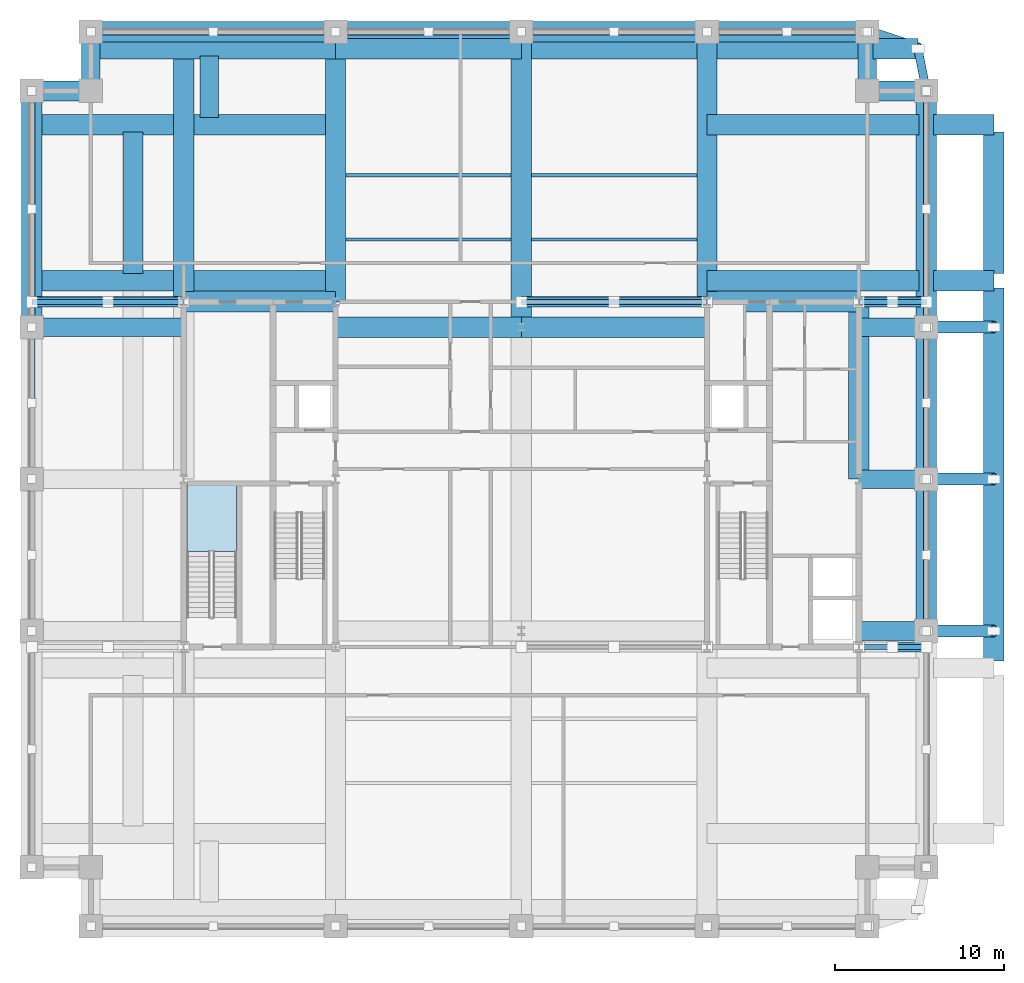
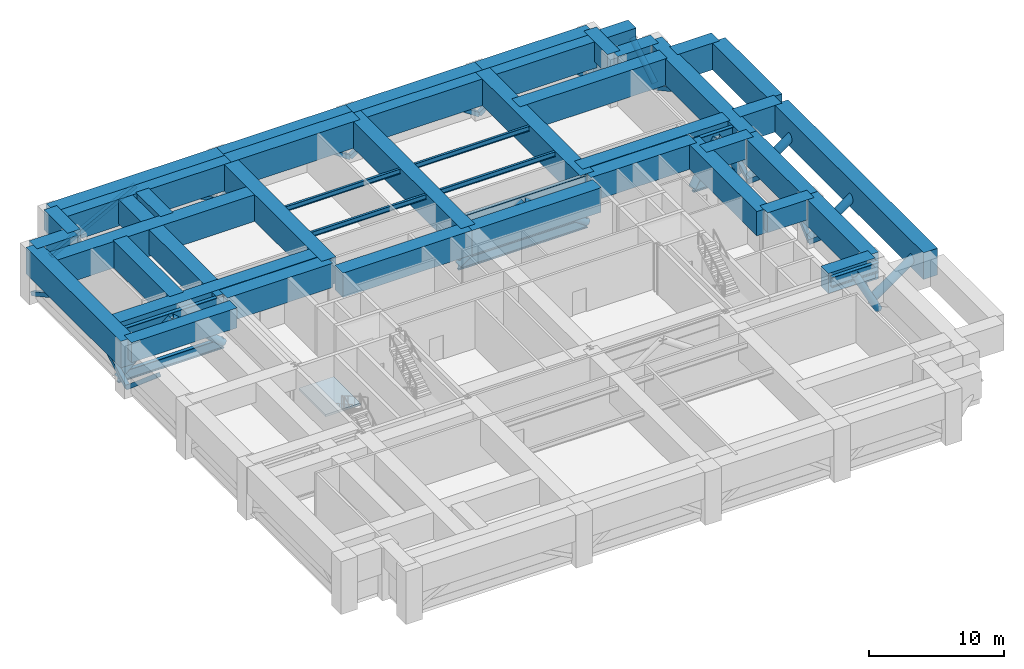
# One storey, part 2 of 10: 43 beams, 36 members, 1 slab, 1 element without a shape of its own.
"""IFC4 building model written with IfcOpenShell, lengths in metres."""

from ifc_helpers import new_model, si_unit, direction, frame, origin, origin_2d, place, context, subcontext, project, spatial, polyline, rectangle, hollow_rectangle, hollow_circle, i_section, outline, extrude, material, layer, layer_set, material_profile, profile_set, type_object, element, aggregate, save


model = new_model("IFC4")

# Units and contexts
model_context = context("Model", 3, precision=1e-05, world=origin(), true_north=direction((0.0, 1.0)))
body_context = subcontext(model_context, "Body", "Model", "MODEL_VIEW")
ifc_project = project(units=[si_unit("LENGTHUNIT", "METRE"), si_unit("AREAUNIT", "SQUARE_METRE"), si_unit("VOLUMEUNIT", "CUBIC_METRE"), si_unit("PLANEANGLEUNIT", "RADIAN"), si_unit("MASSUNIT", "GRAM", prefix="KILO")], contexts=[model_context])

# Site, building, storey
site_placement = place(None, origin())
site = spatial("IfcSite", under=ifc_project, at=site_placement, CompositionType="ELEMENT")
building_placement = place(site_placement, origin())
building = spatial("IfcBuilding", under=site, at=building_placement, Name="Zulmaris Gate Convention Tower", CompositionType="ELEMENT")
storey_placement = place(building_placement, frame((0.0, 0.0, 82.179931640625)))
storey = spatial("IfcBuildingStorey", under=building, at=storey_placement, Name="L20", CompositionType="ELEMENT", Elevation=82.179931640625)

# Beams
ifc_material_1 = material(Name="Concrete C80/95", Category="concrete")
ifc_material_profile_1 = material_profile(ifc_material_1, rectangle(XDim=1.10009765625, YDim=1.800048828125, at=origin_2d()), Name="RC TRANSFER 1100x1800")
ifc_profile_set_1 = profile_set([ifc_material_profile_1], Name="Concrete C80/95")
beam_type_1 = type_object("IfcBeamType", Name="BM-XFER1800", PredefinedType="BEAM", material=ifc_profile_set_1)
for number, where, z_axis, x_axis, name in (
    (1, (-25.5, 23.0, 3.43505859375), (0.0, 1.0, 0.0), (-1.0, 0.0, 0.0), "L20 Beam XFCOLV-L20-CXWN"),
    (2, (20.5, 23.0, 3.43505859375), (0.0, 1.0, 0.0), (-1.0, 0.0, 0.0), "L20 Beam XFCOLV-L20-CXEN"),
):
    element("IfcBeam", number, at=place(storey_placement, frame(where, z_axis=z_axis, x_axis=x_axis)), inside=storey, type_object=beam_type_1, Name=name, PredefinedType="BEAM", context=body_context, shape_type="SweptSolid", body=[
        extrude(rectangle(XDim=1.10009765625, YDim=1.800048828125, at=origin_2d()), origin(), (0.0, 0.0, 1.0), 3.5),
    ])
beam_1_placement = place(storey_placement, frame((-18.5, 21.43505859375, 3.43505859375), z_axis=(0.0, 1.0, 0.0), x_axis=(-1.0, 0.0, 0.0)))
element("IfcBeam", 3, at=beam_1_placement, inside=storey, type_object=beam_type_1, Name="L20 Beam XFNCH-L20-WC-+21.0", PredefinedType="BEAM", context=body_context, shape_type="SweptSolid", body=[
    extrude(rectangle(XDim=1.10009765625, YDim=1.800048828125, at=origin_2d()), origin(), (0.0, 0.0, 1.0), 3.6298828125),
])
beam_2_placement = place(storey_placement, frame((-29.0, 9.0, 3.43505859375), z_axis=(1.0, 0.0, 0.0), x_axis=(0.0, 1.0, 0.0)))
element("IfcBeam", 4, at=beam_2_placement, inside=storey, type_object=beam_type_1, Name="L20 Beam BM-L20-G18", PredefinedType="BEAM", context=body_context, shape_type="SweptSolid", body=[
    extrude(rectangle(XDim=1.10009765625, YDim=1.800048828125, at=origin_2d()), origin(), (0.0, 0.0, 1.0), 9.0),
])
for number, where, z_axis, x_axis, name in (
    (5, (20.0, -9.0, 3.43505859375), (1.0, 0.0, 0.0), (0.0, 1.0, 0.0), "L20 Beam BM-L20-G19"),
    (6, (20.0, 0.0, 3.43505859375), (1.0, 0.0, 0.0), (0.0, 1.0, 0.0), "L20 Beam BM-L20-G20"),
    (7, (20.0, 9.0, 3.43505859375), (1.0, 0.0, 0.0), (0.0, 1.0, 0.0), "L20 Beam BM-L20-G21"),
):
    element("IfcBeam", number, at=place(storey_placement, frame(where, z_axis=z_axis, x_axis=x_axis)), inside=storey, type_object=beam_type_1, Name=name, PredefinedType="BEAM", context=body_context, shape_type="SweptSolid", body=[
        extrude(rectangle(XDim=1.10009765625, YDim=1.800048828125, at=origin_2d()), origin(), (0.0, 0.0, 1.0), 4.0),
    ])
ifc_material_profile_2 = material_profile(ifc_material_1, rectangle(XDim=1.199951171875, YDim=2.199951171875, at=origin_2d()), Name="RC TRANSFER 1200x2200")
ifc_profile_set_2 = profile_set([ifc_material_profile_2], Name="Concrete C80/95")
beam_type_2 = type_object("IfcBeamType", Name="BM-XFER2200", PredefinedType="BEAM", material=ifc_profile_set_2)
for number, where, z_axis, x_axis, name in (
    (8, (-11.0, 9.0, 3.23486328125), (1.0, 0.0, 0.0), (0.0, 1.0, 0.0), "L20 Beam BM-L20-G03"),
    (9, (0.0, 9.0, 3.23486328125), (1.0, 0.0, 0.0), (0.0, 1.0, 0.0), "L20 Beam BM-L20-G04"),
):
    element("IfcBeam", number, at=place(storey_placement, frame(where, z_axis=z_axis, x_axis=x_axis)), inside=storey, type_object=beam_type_2, Name=name, PredefinedType="BEAM", context=body_context, shape_type="SweptSolid", body=[
        extrude(rectangle(XDim=1.199951171875, YDim=2.199951171875, at=origin_2d()), origin(), (0.0, 0.0, 1.0), 11.0),
    ])
beam_3_placement = place(storey_placement, frame((-20.0, 10.5, 3.23486328125), z_axis=(0.0, 1.0, 0.0), x_axis=(-1.0, 0.0, 0.0)))
element("IfcBeam", 10, at=beam_3_placement, inside=storey, type_object=beam_type_2, Name="L20 Beam BM-L20-G13", PredefinedType="BEAM", context=body_context, shape_type="SweptSolid", body=[
    extrude(rectangle(XDim=1.199951171875, YDim=2.199951171875, at=origin_2d()), origin(), (0.0, 0.0, 1.0), 16.0),
])
for number, where, z_axis, x_axis, name in (
    (11, (-20.0, 10.5, 3.23486328125), (1.0, 0.0, 0.0), (0.0, 1.0, 0.0), "L20 Beam BM-L20-G23"),
    (12, (11.0, 10.5, 3.23486328125), (1.0, 0.0, 0.0), (0.0, 1.0, 0.0), "L20 Beam BM-L20-G25"),
):
    element("IfcBeam", number, at=place(storey_placement, frame(where, z_axis=z_axis, x_axis=x_axis)), inside=storey, type_object=beam_type_2, Name=name, PredefinedType="BEAM", context=body_context, shape_type="SweptSolid", body=[
        extrude(rectangle(XDim=1.199951171875, YDim=2.199951171875, at=origin_2d()), origin(), (0.0, 0.0, 1.0), 9.0),
    ])
beam_4_placement = place(storey_placement, frame((20.0, 0.0, 3.23486328125), z_axis=(0.0, 1.0, 0.0), x_axis=(-1.0, 0.0, 0.0)))
element("IfcBeam", 13, at=beam_4_placement, inside=storey, type_object=beam_type_2, Name="L20 Beam BM-L20-G29", PredefinedType="BEAM", context=body_context, shape_type="SweptSolid", body=[
    extrude(rectangle(XDim=1.199951171875, YDim=2.199951171875, at=origin_2d()), origin(), (0.0, 0.0, 1.0), 10.5),
])
ifc_material_profile_3 = material_profile(ifc_material_1, rectangle(XDim=1.199951171875, YDim=2.39990234375, at=origin_2d()), Name="RC TRANSFER 1200x2400")
ifc_profile_set_3 = profile_set([ifc_material_profile_3], Name="Concrete C80/95")
beam_type_3 = type_object("IfcBeamType", Name="BM-XFER2400", PredefinedType="BEAM", material=ifc_profile_set_3)
beam_5_placement = place(storey_placement, frame((-29.0, 9.0, 3.135009765625), z_axis=(0.0, 1.0, 0.0), x_axis=(-1.0, 0.0, 0.0)))
element("IfcBeam", 14, at=beam_5_placement, inside=storey, type_object=beam_type_3, Name="L20 Beam XFCOLV-L20-XWN", PredefinedType="BEAM", context=body_context, shape_type="SweptSolid", body=[
    extrude(rectangle(XDim=1.199951171875, YDim=2.39990234375, at=origin_2d()), origin(), (0.0, 0.0, 1.0), 14.0),
])
for number, where, z_axis, x_axis, name in (
    (15, (24.0, -9.0, 3.135009765625), (0.0, 1.0, 0.0), (-1.0, 0.0, 0.0), "L20 Beam XFCOLV-L20-XEM1"),
    (16, (24.0, 0.0, 3.135009765625), (0.0, 1.0, 0.0), (-1.0, 0.0, 0.0), "L20 Beam XFCOLV-L20-XEM2"),
):
    element("IfcBeam", number, at=place(storey_placement, frame(where, z_axis=z_axis, x_axis=x_axis)), inside=storey, type_object=beam_type_3, Name=name, PredefinedType="BEAM", context=body_context, shape_type="SweptSolid", body=[
        extrude(rectangle(XDim=1.199951171875, YDim=2.39990234375, at=origin_2d()), origin(), (0.0, 0.0, 1.0), 9.0),
    ])
beam_6_placement = place(storey_placement, frame((24.0, 9.0, 3.135009765625), z_axis=(0.0, 1.0, 0.0), x_axis=(-1.0, 0.0, 0.0)))
element("IfcBeam", 17, at=beam_6_placement, inside=storey, type_object=beam_type_3, Name="L20 Beam XFCOLV-L20-XEN", PredefinedType="BEAM", context=body_context, shape_type="SweptSolid", body=[
    extrude(rectangle(XDim=1.199951171875, YDim=2.39990234375, at=origin_2d()), origin(), (0.0, 0.0, 1.0), 14.0),
])
for number, where, z_axis, x_axis, name in (
    (18, (-11.0, 10.5, 3.135009765625), (0.0, 1.0, 0.0), (-1.0, 0.0, 0.0), "L20 Beam XFCOLV-L20-C11WN"),
    (19, (11.0, 10.5, 3.135009765625), (0.0, 1.0, 0.0), (-1.0, 0.0, 0.0), "L20 Beam XFCOLV-L20-C11EN"),
):
    element("IfcBeam", number, at=place(storey_placement, frame(where, z_axis=z_axis, x_axis=x_axis)), inside=storey, type_object=beam_type_3, Name=name, PredefinedType="BEAM", context=body_context, shape_type="SweptSolid", body=[
        extrude(rectangle(XDim=1.199951171875, YDim=2.39990234375, at=origin_2d()), origin(), (0.0, 0.0, 1.0), 16.0),
    ])
beam_7_placement = place(storey_placement, frame((0.0, 9.0, 3.135009765625), z_axis=(0.0, 1.0, 0.0), x_axis=(-1.0, 0.0, 0.0)))
element("IfcBeam", 20, at=beam_7_placement, inside=storey, type_object=beam_type_3, Name="L20 Beam XFCOLV-L20-C0N", PredefinedType="BEAM", context=body_context, shape_type="SweptSolid", body=[
    extrude(rectangle(XDim=1.199951171875, YDim=2.39990234375, at=origin_2d()), origin(), (0.0, 0.0, 1.0), 17.5),
])
beam_8_placement = place(storey_placement, frame((11.0, 11.75, 3.135009765625), z_axis=(1.0, 0.0, 0.0), x_axis=(0.0, 1.0, 0.0)))
element("IfcBeam", 21, at=beam_8_placement, inside=storey, type_object=beam_type_3, Name="L20 Beam XFBS-L20-E-+11.75", PredefinedType="BEAM", context=body_context, shape_type="SweptSolid", body=[
    extrude(rectangle(XDim=1.199951171875, YDim=2.39990234375, at=origin_2d()), origin(), (0.0, 0.0, 1.0), 12.56494140625),
])
beam_9_placement = place(storey_placement, frame((24.43505859375, 11.75, 3.135009765625), z_axis=(1.0, 0.0, 0.0), x_axis=(0.0, 1.0, 0.0)))
element("IfcBeam", 22, at=beam_9_placement, inside=storey, type_object=beam_type_3, Name="L20 Beam XFSF-L20-E-+11.75", PredefinedType="BEAM", context=body_context, shape_type="SweptSolid", body=[
    extrude(rectangle(XDim=1.199951171875, YDim=2.39990234375, at=origin_2d()), origin(), (0.0, 0.0, 1.0), 3.56494140625),
])
beam_10_placement = place(storey_placement, frame((11.0, 21.0, 3.135009765625), z_axis=(1.0, 0.0, 0.0), x_axis=(0.0, 1.0, 0.0)))
element("IfcBeam", 23, at=beam_10_placement, inside=storey, type_object=beam_type_3, Name="L20 Beam XFBS-L20-E-+21.00", PredefinedType="BEAM", context=body_context, shape_type="SweptSolid", body=[
    extrude(rectangle(XDim=1.199951171875, YDim=2.39990234375, at=origin_2d()), origin(), (0.0, 0.0, 1.0), 12.56494140625),
])
beam_11_placement = place(storey_placement, frame((24.43505859375, 21.0, 3.135009765625), z_axis=(1.0, 0.0, 0.0), x_axis=(0.0, 1.0, 0.0)))
element("IfcBeam", 24, at=beam_11_placement, inside=storey, type_object=beam_type_3, Name="L20 Beam XFSF-L20-E-+21.00", PredefinedType="BEAM", context=body_context, shape_type="SweptSolid", body=[
    extrude(rectangle(XDim=1.199951171875, YDim=2.39990234375, at=origin_2d()), origin(), (0.0, 0.0, 1.0), 3.56494140625),
])
beam_12_placement = place(storey_placement, frame((28.0, -10.764892578125, 3.135009765625), z_axis=(0.0, 1.0, 0.0), x_axis=(-1.0, 0.0, 0.0)))
element("IfcBeam", 25, at=beam_12_placement, inside=storey, type_object=beam_type_3, Name="L20 Beam XFEDG-L20-EM", PredefinedType="BEAM", context=body_context, shape_type="SweptSolid", body=[
    extrude(rectangle(XDim=1.199951171875, YDim=2.39990234375, at=origin_2d()), origin(), (0.0, 0.0, 1.0), 22.079833984375),
])
beam_13_placement = place(storey_placement, frame((28.0, 12.18505859375, 3.135009765625), z_axis=(0.0, 1.0, 0.0), x_axis=(-1.0, 0.0, 0.0)))
element("IfcBeam", 26, at=beam_13_placement, inside=storey, type_object=beam_type_3, Name="L20 Beam XFEDG-L20-EN", PredefinedType="BEAM", context=body_context, shape_type="SweptSolid", body=[
    extrude(rectangle(XDim=1.199951171875, YDim=2.39990234375, at=origin_2d()), origin(), (0.0, 0.0, 1.0), 8.3798828125),
])
beam_14_placement = place(storey_placement, frame((0.43505859375, 25.5, 3.135009765625), z_axis=(1.0, 0.0, 0.0), x_axis=(0.0, 1.0, 0.0)))
element("IfcBeam", 27, at=beam_14_placement, inside=storey, type_object=beam_type_3, Name="L20 Beam XFBS-L20-EC-+25.5", PredefinedType="BEAM", context=body_context, shape_type="SweptSolid", body=[
    extrude(rectangle(XDim=1.199951171875, YDim=2.39990234375, at=origin_2d()), origin(), (0.0, 0.0, 1.0), 19.72998046875),
])
beam_15_placement = place(storey_placement, frame((20.8349609375, 25.5, 3.135009765625), z_axis=(1.0, 0.0, 0.0), x_axis=(0.0, 1.0, 0.0)))
element("IfcBeam", 28, at=beam_15_placement, inside=storey, type_object=beam_type_3, Name="L20 Beam XFSF-L20-EC-+25.5", PredefinedType="BEAM", context=body_context, shape_type="SweptSolid", body=[
    extrude(rectangle(XDim=1.199951171875, YDim=2.39990234375, at=origin_2d()), origin(), (0.0, 0.0, 1.0), 2.6650390625),
])
for number, where, z_axis, x_axis, name in (
    (29, (-29.0, 11.75, 3.135009765625), (1.0, 0.0, 0.0), (0.0, 1.0, 0.0), "L20 Beam XFREC-L20-W-+11.75"),
    (30, (-29.0, 21.0, 3.135009765625), (1.0, 0.0, 0.0), (0.0, 1.0, 0.0), "L20 Beam XFREC-L20-W-+21.00"),
):
    element("IfcBeam", number, at=place(storey_placement, frame(where, z_axis=z_axis, x_axis=x_axis)), inside=storey, type_object=beam_type_3, Name=name, PredefinedType="BEAM", context=body_context, shape_type="SweptSolid", body=[
        extrude(rectangle(XDim=1.199951171875, YDim=2.39990234375, at=origin_2d()), origin(), (0.0, 0.0, 1.0), 18.0),
    ])
beam_16_placement = place(storey_placement, frame((-23.0, 12.18505859375, 3.135009765625), z_axis=(0.0, 1.0, 0.0), x_axis=(-1.0, 0.0, 0.0)))
element("IfcBeam", 31, at=beam_16_placement, inside=storey, type_object=beam_type_3, Name="L20 Beam XFEDG-L20-WN", PredefinedType="BEAM", context=body_context, shape_type="SweptSolid", body=[
    extrude(rectangle(XDim=1.199951171875, YDim=2.39990234375, at=origin_2d()), origin(), (0.0, 0.0, 1.0), 8.3798828125),
])
beam_17_placement = place(storey_placement, frame((-25.5, 25.5, 3.135009765625), z_axis=(1.0, 0.0, 0.0), x_axis=(0.0, 1.0, 0.0)))
element("IfcBeam", 32, at=beam_17_placement, inside=storey, type_object=beam_type_3, Name="L20 Beam XFREC-L20-WC-+25.5", PredefinedType="BEAM", context=body_context, shape_type="SweptSolid", body=[
    extrude(rectangle(XDim=1.199951171875, YDim=2.39990234375, at=origin_2d()), origin(), (0.0, 0.0, 1.0), 14.5),
])
beam_18_placement = place(storey_placement, frame((-11.0, 25.5, 3.135009765625), z_axis=(1.0, 0.0, 0.0), x_axis=(0.0, 1.0, 0.0)))
element("IfcBeam", 33, at=beam_18_placement, inside=storey, type_object=beam_type_3, Name="L20 Beam XFREC-L20-M1-+25.5", PredefinedType="BEAM", context=body_context, shape_type="SweptSolid", body=[
    extrude(rectangle(XDim=1.199951171875, YDim=2.39990234375, at=origin_2d()), origin(), (0.0, 0.0, 1.0), 11.0),
])
beam_19_placement = place(storey_placement, frame((24.0, 23.0, 3.135009765625), z_axis=(-1.0, 0.0, 0.0), x_axis=(0.0, -1.0, 0.0)))
element("IfcBeam", 34, at=beam_19_placement, inside=storey, type_object=beam_type_3, Name="L20 Beam SP-L20-11", PredefinedType="BEAM", context=body_context, shape_type="SweptSolid", body=[
    extrude(rectangle(XDim=1.199951171875, YDim=2.39990234375, at=origin_2d()), origin(), (0.0, 0.0, 1.0), 3.5),
])
beam_20_placement = place(storey_placement, frame((20.5, 26.5, 3.135009765625), z_axis=(-1.0, 0.0, 0.0), x_axis=(0.0, -1.0, 0.0)))
element("IfcBeam", 35, at=beam_20_placement, inside=storey, type_object=beam_type_3, Name="L20 Beam SP-L20-13", PredefinedType="BEAM", context=body_context, shape_type="SweptSolid", body=[
    extrude(rectangle(XDim=1.199951171875, YDim=2.39990234375, at=origin_2d()), origin(), (0.0, 0.0, 1.0), 9.5),
])
for number, where, z_axis, x_axis, name in (
    (36, (11.0, 26.5, 3.135009765625), (-1.0, 0.0, 0.0), (0.0, -1.0, 0.0), "L20 Beam SP-L20-14"),
    (37, (0.0, 26.5, 3.135009765625), (-1.0, 0.0, 0.0), (0.0, -1.0, 0.0), "L20 Beam SP-L20-15"),
):
    element("IfcBeam", number, at=place(storey_placement, frame(where, z_axis=z_axis, x_axis=x_axis)), inside=storey, type_object=beam_type_3, Name=name, PredefinedType="BEAM", context=body_context, shape_type="SweptSolid", body=[
        extrude(rectangle(XDim=1.199951171875, YDim=2.39990234375, at=origin_2d()), origin(), (0.0, 0.0, 1.0), 11.0),
    ])
beam_21_placement = place(storey_placement, frame((-11.0, 26.5, 3.135009765625), z_axis=(-1.0, 0.0, 0.0), x_axis=(0.0, -1.0, 0.0)))
element("IfcBeam", 38, at=beam_21_placement, inside=storey, type_object=beam_type_3, Name="L20 Beam SP-L20-16", PredefinedType="BEAM", context=body_context, shape_type="SweptSolid", body=[
    extrude(rectangle(XDim=1.199951171875, YDim=2.39990234375, at=origin_2d()), origin(), (0.0, 0.0, 1.0), 14.5),
])
beam_22_placement = place(storey_placement, frame((-25.5, 23.0, 3.135009765625), z_axis=(-1.0, 0.0, 0.0), x_axis=(0.0, -1.0, 0.0)))
element("IfcBeam", 39, at=beam_22_placement, inside=storey, type_object=beam_type_3, Name="L20 Beam SP-L20-18", PredefinedType="BEAM", context=body_context, shape_type="SweptSolid", body=[
    extrude(rectangle(XDim=1.199951171875, YDim=2.39990234375, at=origin_2d()), origin(), (0.0, 0.0, 1.0), 3.5),
])

# Members
ifc_material_2 = material(Name="Steel S460", Category="steel")
ifc_material_profile_4 = material_profile(ifc_material_2, hollow_circle(Radius=0.25390625, WallThickness=0.02490234375, at=origin_2d()), Name="CHS 508x25")
ifc_profile_set_4 = profile_set([ifc_material_profile_4], Name="Steel S460")
member_type_1 = type_object("IfcMemberType", Name="BR-CHS508", PredefinedType="BRACE", material=ifc_profile_set_4)
member_1_placement = place(storey_placement, frame((24.0, 23.0, 0.349853515625), z_axis=(-0.132420272565, 0.662101362827, 0.737622299525), x_axis=(-0.980580675691, -0.196116135138, 0.0)))
element("IfcMember", 40, at=member_1_placement, inside=storey, type_object=member_type_1, Name="L20 Shifted Block Notch Web Strut EC +25.5", PredefinedType="BRACE", context=body_context, shape_type="SweptSolid", body=[
    extrude(hollow_circle(Radius=0.25390625, WallThickness=0.02490234375, at=origin_2d()), origin(), (0.0, 0.0, 1.0), 3.77587890625),
])
ifc_material_profile_5 = material_profile(ifc_material_2, hollow_circle(Radius=0.304931640625, WallThickness=0.030029296875, at=origin_2d()), Name="CHS 610x30")
ifc_profile_set_5 = profile_set([ifc_material_profile_5], Name="Steel S460")
member_type_2 = type_object("IfcMemberType", Name="BR-CHS610", PredefinedType="BRACE", material=ifc_profile_set_5)
member_2_placement = place(storey_placement, frame((22.0, -9.949951171875, 3.8349609375), z_axis=(0.462411672797, 0.0, -0.886665351111), x_axis=(0.0, 1.0, 0.0)))
element("IfcMember", 41, at=member_2_placement, inside=storey, type_object=member_type_2, Name="L20 Outrigger Truss Diagonal OT-L20-DG--9.9-+20-B", PredefinedType="BRACE", context=body_context, shape_type="SweptSolid", body=[
    extrude(hollow_circle(Radius=0.304931640625, WallThickness=0.030029296875, at=origin_2d()), origin(), (0.0, 0.0, 1.0), 4.3251953125),
])
for number, where, z_axis, x_axis, name in (
    (42, (-29.0, 10.5, 0.0), (0.761107322007, 0.0, 0.648625966476), (0.0, 1.0, 0.0), "L20 Outrigger Truss Diagonal OT-L20-DG-+10.5--29-A"),
    (43, (-24.5, 10.5, 3.8349609375), (0.761107322007, 0.0, -0.648625966476), (0.0, 1.0, 0.0), "L20 Outrigger Truss Diagonal OT-L20-DG-+10.5--29-B"),
):
    element("IfcMember", number, at=place(storey_placement, frame(where, z_axis=z_axis, x_axis=x_axis)), inside=storey, type_object=member_type_2, Name=name, PredefinedType="BRACE", context=body_context, shape_type="SweptSolid", body=[
        extrude(hollow_circle(Radius=0.304931640625, WallThickness=0.030029296875, at=origin_2d()), origin(), (0.0, 0.0, 1.0), 5.912353515625),
    ])
for number, where, z_axis, x_axis, name in (
    (44, (20.0, 10.5, 0.0), (0.462411672797, 0.0, 0.886665351111), (0.0, 1.0, 0.0), "L20 Outrigger Truss Diagonal OT-L20-DG-+10.5-+20-A"),
    (45, (22.0, 10.5, 3.8349609375), (0.462411672797, 0.0, -0.886665351111), (0.0, 1.0, 0.0), "L20 Outrigger Truss Diagonal OT-L20-DG-+10.5-+20-B"),
):
    element("IfcMember", number, at=place(storey_placement, frame(where, z_axis=z_axis, x_axis=x_axis)), inside=storey, type_object=member_type_2, Name=name, PredefinedType="BRACE", context=body_context, shape_type="SweptSolid", body=[
        extrude(hollow_circle(Radius=0.304931640625, WallThickness=0.030029296875, at=origin_2d()), origin(), (0.0, 0.0, 1.0), 4.3251953125),
    ])
for number, where, z_axis, x_axis, name in (
    (46, (0.0, 10.5, 0.0), (0.82028427934, 0.0, 0.571956030712), (0.0, 1.0, 0.0), "L20 Outrigger Truss Diagonal OT-L20-DG-+10.5-+0-A"),
    (47, (5.5, 10.5, 3.8349609375), (0.82028427934, 0.0, -0.571956030712), (0.0, 1.0, 0.0), "L20 Outrigger Truss Diagonal OT-L20-DG-+10.5-+0-B"),
):
    element("IfcMember", number, at=place(storey_placement, frame(where, z_axis=z_axis, x_axis=x_axis)), inside=storey, type_object=member_type_2, Name=name, PredefinedType="BRACE", context=body_context, shape_type="SweptSolid", body=[
        extrude(hollow_circle(Radius=0.304931640625, WallThickness=0.030029296875, at=origin_2d()), origin(), (0.0, 0.0, 1.0), 6.705078125),
    ])
ifc_material_profile_6 = material_profile(ifc_material_2, hollow_circle(Radius=0.35546875, WallThickness=0.035888671875, at=origin_2d()), Name="CHS 711x36")
ifc_profile_set_6 = profile_set([ifc_material_profile_6], Name="Steel S460")
member_type_3 = type_object("IfcMemberType", Name="BR-CHS711", PredefinedType="BRACE", material=ifc_profile_set_6)
for number, where, z_axis, x_axis, name in (
    (48, (24.0, -9.0, 0.349853515625), (0.820660104298, 0.0, 0.571416654653), (0.0, 1.0, 0.0), "L20 Shifted Block Transfer Raking Strut E -9.0"),
    (49, (24.0, 0.0, 0.349853515625), (0.820660104298, 0.0, 0.571416654653), (0.0, 1.0, 0.0), "L20 Shifted Block Transfer Raking Strut E +0.0"),
    (50, (24.0, 9.0, 0.349853515625), (0.820660104298, 0.0, 0.571416654653), (0.0, 1.0, 0.0), "L20 Shifted Block Transfer Raking Strut E +9.0"),
):
    element("IfcMember", number, at=place(storey_placement, frame(where, z_axis=z_axis, x_axis=x_axis)), inside=storey, type_object=member_type_3, Name=name, PredefinedType="BRACE", context=body_context, shape_type="SweptSolid", body=[
        extrude(hollow_circle(Radius=0.35546875, WallThickness=0.035888671875, at=origin_2d()), origin(), (0.0, 0.0, 1.0), 4.8740234375),
    ])
member_3_placement = place(storey_placement, frame((20.5, 26.5, 0.349853515625), z_axis=(0.711926717305, -0.237308905768, 0.660942382081), x_axis=(0.316227766017, 0.948683298051, 0.0)))
element("IfcMember", 51, at=member_3_placement, inside=storey, type_object=member_type_3, Name="L20 Shifted Block Corner Raking Strut EC +25.5", PredefinedType="BRACE", context=body_context, shape_type="SweptSolid", body=[
    extrude(hollow_circle(Radius=0.35546875, WallThickness=0.035888671875, at=origin_2d()), origin(), (0.0, 0.0, 1.0), 4.2138671875),
])
ifc_material_profile_7 = material_profile(ifc_material_2, hollow_rectangle(XDim=0.35009765625, YDim=0.35009765625, WallThickness=0.01611328125, at=origin_2d()), Name="SHS 350x350x16")
ifc_profile_set_7 = profile_set([ifc_material_profile_7], Name="Steel S460")
member_type_4 = type_object("IfcMemberType", Name="BR-SHS350", PredefinedType="BRACE", material=ifc_profile_set_7)
for number, where, z_axis, x_axis, name in (
    (52, (-25.5, 26.5, 0.0), (0.883952946036, 0.0, 0.46757586464), (0.0, 1.0, 0.0), "L20 Perimeter Belt Truss Diagonal 05-1"),
    (53, (-18.25, 26.5, 3.8349609375), (0.883952946036, 0.0, -0.46757586464), (0.0, 1.0, 0.0), "L20 Perimeter Belt Truss Diagonal 05-2"),
):
    element("IfcMember", number, at=place(storey_placement, frame(where, z_axis=z_axis, x_axis=x_axis)), inside=storey, type_object=member_type_4, Name=name, PredefinedType="BRACE", context=body_context, shape_type="SweptSolid", body=[
        extrude(hollow_rectangle(XDim=0.35009765625, YDim=0.35009765625, WallThickness=0.01611328125, at=origin_2d()), origin(), (0.0, 0.0, 1.0), 8.201904296875),
    ])
for number, where, z_axis, x_axis, name in (
    (54, (-11.0, 26.5, 0.0), (0.82028427934, 0.0, 0.571956030712), (0.0, 1.0, 0.0), "L20 Perimeter Belt Truss Diagonal 06-1"),
    (55, (-5.5, 26.5, 3.8349609375), (0.82028427934, 0.0, -0.571956030712), (0.0, 1.0, 0.0), "L20 Perimeter Belt Truss Diagonal 06-2"),
    (56, (0.0, 26.5, 0.0), (0.82028427934, 0.0, 0.571956030712), (0.0, 1.0, 0.0), "L20 Perimeter Belt Truss Diagonal 07-1"),
    (57, (5.5, 26.5, 3.8349609375), (0.82028427934, 0.0, -0.571956030712), (0.0, 1.0, 0.0), "L20 Perimeter Belt Truss Diagonal 07-2"),
):
    element("IfcMember", number, at=place(storey_placement, frame(where, z_axis=z_axis, x_axis=x_axis)), inside=storey, type_object=member_type_4, Name=name, PredefinedType="BRACE", context=body_context, shape_type="SweptSolid", body=[
        extrude(hollow_rectangle(XDim=0.35009765625, YDim=0.35009765625, WallThickness=0.01611328125, at=origin_2d()), origin(), (0.0, 0.0, 1.0), 6.705078125),
    ])
for number, where, z_axis, x_axis, name in (
    (58, (11.0, 26.5, 0.0), (0.778067474884, 0.0, 0.628180710088), (0.0, 1.0, 0.0), "L20 Perimeter Belt Truss Diagonal 08-1"),
    (59, (15.75, 26.5, 3.8349609375), (0.778067474884, 0.0, -0.628180710088), (0.0, 1.0, 0.0), "L20 Perimeter Belt Truss Diagonal 08-2"),
):
    element("IfcMember", number, at=place(storey_placement, frame(where, z_axis=z_axis, x_axis=x_axis)), inside=storey, type_object=member_type_4, Name=name, PredefinedType="BRACE", context=body_context, shape_type="SweptSolid", body=[
        extrude(hollow_rectangle(XDim=0.35009765625, YDim=0.35009765625, WallThickness=0.01611328125, at=origin_2d()), origin(), (0.0, 0.0, 1.0), 6.10498046875),
    ])
member_4_placement = place(storey_placement, frame((-29.0, 4.5, 3.8349609375), z_axis=(0.0, 0.761107322007, -0.648625966476), x_axis=(-1.0, 0.0, 0.0)))
element("IfcMember", 60, at=member_4_placement, inside=storey, type_object=member_type_4, Name="L20 Perimeter Belt Truss Diagonal 11-2", PredefinedType="BRACE", context=body_context, shape_type="SweptSolid", body=[
    extrude(hollow_rectangle(XDim=0.35009765625, YDim=0.35009765625, WallThickness=0.01611328125, at=origin_2d()), origin(), (0.0, 0.0, 1.0), 5.912353515625),
])
for number, where, z_axis, x_axis, name in (
    (61, (-29.0, 9.0, 0.0), (0.0, 0.877010346815, 0.480471488831), (-1.0, 0.0, 0.0), "L20 Perimeter Belt Truss Diagonal 12-1"),
    (62, (-29.0, 16.0, 3.8349609375), (0.0, 0.877010346815, -0.480471488831), (-1.0, 0.0, 0.0), "L20 Perimeter Belt Truss Diagonal 12-2"),
):
    element("IfcMember", number, at=place(storey_placement, frame(where, z_axis=z_axis, x_axis=x_axis)), inside=storey, type_object=member_type_4, Name=name, PredefinedType="BRACE", context=body_context, shape_type="SweptSolid", body=[
        extrude(hollow_rectangle(XDim=0.35009765625, YDim=0.35009765625, WallThickness=0.01611328125, at=origin_2d()), origin(), (0.0, 0.0, 1.0), 7.981689453125),
    ])
for number, where, z_axis, x_axis, name in (
    (63, (24.0, -9.0, 0.0), (0.0, 0.761107322007, 0.648625966476), (-1.0, 0.0, 0.0), "L20 Perimeter Belt Truss Diagonal 14-1"),
    (64, (24.0, -4.5, 3.8349609375), (0.0, 0.761107322007, -0.648625966476), (-1.0, 0.0, 0.0), "L20 Perimeter Belt Truss Diagonal 14-2"),
    (65, (24.0, 0.0, 0.0), (0.0, 0.761107322007, 0.648625966476), (-1.0, 0.0, 0.0), "L20 Perimeter Belt Truss Diagonal 15-1"),
    (66, (24.0, 4.5, 3.8349609375), (0.0, 0.761107322007, -0.648625966476), (-1.0, 0.0, 0.0), "L20 Perimeter Belt Truss Diagonal 15-2"),
):
    element("IfcMember", number, at=place(storey_placement, frame(where, z_axis=z_axis, x_axis=x_axis)), inside=storey, type_object=member_type_4, Name=name, PredefinedType="BRACE", context=body_context, shape_type="SweptSolid", body=[
        extrude(hollow_rectangle(XDim=0.35009765625, YDim=0.35009765625, WallThickness=0.01611328125, at=origin_2d()), origin(), (0.0, 0.0, 1.0), 5.912353515625),
    ])
for number, where, z_axis, x_axis, name in (
    (67, (24.0, 9.0, 0.0), (0.0, 0.877010346815, 0.480471488831), (-1.0, 0.0, 0.0), "L20 Perimeter Belt Truss Diagonal 16-1"),
    (68, (24.0, 16.0, 3.8349609375), (0.0, 0.877010346815, -0.480471488831), (-1.0, 0.0, 0.0), "L20 Perimeter Belt Truss Diagonal 16-2"),
):
    element("IfcMember", number, at=place(storey_placement, frame(where, z_axis=z_axis, x_axis=x_axis)), inside=storey, type_object=member_type_4, Name=name, PredefinedType="BRACE", context=body_context, shape_type="SweptSolid", body=[
        extrude(hollow_rectangle(XDim=0.35009765625, YDim=0.35009765625, WallThickness=0.01611328125, at=origin_2d()), origin(), (0.0, 0.0, 1.0), 7.981689453125),
    ])
ifc_material_profile_8 = material_profile(ifc_material_2, i_section(OverallWidth=0.302001953125, OverallDepth=0.909912109375, WebThickness=0.02099609375, FlangeThickness=0.0400390625, FilletRadius=0.030029296875, at=origin_2d()), Name="HEM 900")
ifc_profile_set_8 = profile_set([ifc_material_profile_8], Name="Steel S460")
member_type_5 = type_object("IfcMemberType", Name="CH-HEM900", PredefinedType="CHORD", material=ifc_profile_set_8)
member_5_placement = place(storey_placement, frame((20.0, -9.949951171875, 3.8349609375), z_axis=(1.0, 0.0, 0.0), x_axis=(0.0, 1.0, 0.0)))
element("IfcMember", 69, at=member_5_placement, inside=storey, type_object=member_type_5, Name="L20 Outrigger Truss Top Chord -9.9", PredefinedType="CHORD", context=body_context, shape_type="SweptSolid", body=[
    extrude(i_section(OverallWidth=0.302001953125, OverallDepth=0.909912109375, WebThickness=0.02099609375, FlangeThickness=0.0400390625, FilletRadius=0.030029296875, at=origin_2d()), origin(), (0.0, 0.0, 1.0), 4.0),
])
for number, where, z_axis, x_axis, name in (
    (70, (-29.0, 10.5, 0.0), (1.0, 0.0, 0.0), (0.0, 1.0, 0.0), "L20 Outrigger Truss Bottom Chord +10.5"),
    (71, (-29.0, 10.5, 3.8349609375), (1.0, 0.0, 0.0), (0.0, 1.0, 0.0), "L20 Outrigger Truss Top Chord +10.5"),
):
    element("IfcMember", number, at=place(storey_placement, frame(where, z_axis=z_axis, x_axis=x_axis)), inside=storey, type_object=member_type_5, Name=name, PredefinedType="CHORD", context=body_context, shape_type="SweptSolid", body=[
        extrude(i_section(OverallWidth=0.302001953125, OverallDepth=0.909912109375, WebThickness=0.02099609375, FlangeThickness=0.0400390625, FilletRadius=0.030029296875, at=origin_2d()), origin(), (0.0, 0.0, 1.0), 9.0),
    ])
for number, where, z_axis, x_axis, name in (
    (72, (20.0, 10.5, 0.0), (1.0, 0.0, 0.0), (0.0, 1.0, 0.0), "L20 Outrigger Truss Bottom Chord +10.5"),
    (73, (20.0, 10.5, 3.8349609375), (1.0, 0.0, 0.0), (0.0, 1.0, 0.0), "L20 Outrigger Truss Top Chord +10.5"),
):
    element("IfcMember", number, at=place(storey_placement, frame(where, z_axis=z_axis, x_axis=x_axis)), inside=storey, type_object=member_type_5, Name=name, PredefinedType="CHORD", context=body_context, shape_type="SweptSolid", body=[
        extrude(i_section(OverallWidth=0.302001953125, OverallDepth=0.909912109375, WebThickness=0.02099609375, FlangeThickness=0.0400390625, FilletRadius=0.030029296875, at=origin_2d()), origin(), (0.0, 0.0, 1.0), 4.0),
    ])
for number, where, z_axis, x_axis, name in (
    (74, (0.0, 10.5, 0.0), (1.0, 0.0, 0.0), (0.0, 1.0, 0.0), "L20 Outrigger Truss Bottom Chord +10.5"),
    (75, (0.0, 10.5, 3.8349609375), (1.0, 0.0, 0.0), (0.0, 1.0, 0.0), "L20 Outrigger Truss Top Chord +10.5"),
):
    element("IfcMember", number, at=place(storey_placement, frame(where, z_axis=z_axis, x_axis=x_axis)), inside=storey, type_object=member_type_5, Name=name, PredefinedType="CHORD", context=body_context, shape_type="SweptSolid", body=[
        extrude(i_section(OverallWidth=0.302001953125, OverallDepth=0.909912109375, WebThickness=0.02099609375, FlangeThickness=0.0400390625, FilletRadius=0.030029296875, at=origin_2d()), origin(), (0.0, 0.0, 1.0), 11.0),
    ])

# Beams
ifc_material_3 = material(Name="Steel S355", Category="steel")
ifc_material_profile_9 = material_profile(ifc_material_3, i_section(OverallWidth=0.18994140625, OverallDepth=0.449951171875, WebThickness=0.009521484375, FlangeThickness=0.0146484375, FilletRadius=0.02099609375, at=origin_2d()), Name="IPE 450")
ifc_profile_set_9 = profile_set([ifc_material_profile_9], Name="Steel S355")
beam_type_4 = type_object("IfcBeamType", Name="JT-IPE450", PredefinedType="JOIST", material=ifc_profile_set_9)
for number, where, z_axis, x_axis, name in (
    (76, (-10.39990234375, 14.199951171875, 4.10791015625), (1.0, 0.0, 0.0), (0.0, 1.0, 0.0), "L20 Joist JT-L20-CW-+14.2"),
    (77, (0.60009765625, 14.199951171875, 4.10791015625), (1.0, 0.0, 0.0), (0.0, 1.0, 0.0), "L20 Joist JT-L20-CE-+14.2"),
    (78, (-10.39990234375, 18.0, 4.10791015625), (1.0, 0.0, 0.0), (0.0, 1.0, 0.0), "L20 Joist JT-L20-CW-+18.0"),
    (79, (0.60009765625, 18.0, 4.10791015625), (1.0, 0.0, 0.0), (0.0, 1.0, 0.0), "L20 Joist JT-L20-CE-+18.0"),
):
    element("IfcBeam", number, at=place(storey_placement, frame(where, z_axis=z_axis, x_axis=x_axis)), inside=storey, type_object=beam_type_4, Name=name, PredefinedType="JOIST", context=body_context, shape_type="SweptSolid", body=[
        extrude(i_section(OverallWidth=0.18994140625, OverallDepth=0.449951171875, WebThickness=0.009521484375, FlangeThickness=0.0146484375, FilletRadius=0.02099609375, at=origin_2d()), origin(), (0.0, 0.0, 1.0), 9.7998046875),
    ])

# Stair, slab
ifc_material_4 = material(Name="Concrete C45/55", Category="concrete")
stair_type = type_object("IfcStairType", Name="ST-CORE-DOGLEG", PredefinedType="HALF_TURN_STAIR", material=ifc_material_4)
stair_placement = place(storey_placement, origin())
stair = element("IfcStair", 80, at=stair_placement, inside=storey, type_object=stair_type, Name="L20 Core Exit Stair ST-3", PredefinedType="HALF_TURN_STAIR")
ifc_layer = layer(ifc_material_4, 0.199951171875, Name="Concrete C45/55")
ifc_layer_set = layer_set([ifc_layer], Name="Concrete C45/55")
slab_type = type_object("IfcSlabType", Name="SL-LND-200", PredefinedType="LANDING", material=ifc_layer_set)
slab_placement = place(storey_placement, frame((0.0, 0.0, 2.179931640625)))
slab = element("IfcSlab", 81, at=slab_placement, type_object=slab_type, Name="ST-3 landing 1", PredefinedType="LANDING", context=body_context, shape_type="SweptSolid", body=[
    extrude(outline(polyline([(-16.860107421875, -4.300048828125), (-16.860107421875, -0.35009765625), (-19.820068359375, -0.35009765625), (-19.820068359375, -4.300048828125), (-16.860107421875, -4.300048828125)])), origin(), (0.0, 0.0, 1.0), 0.199951171875),
])
aggregate(stair, [slab])

save(model, "model.ifc")
